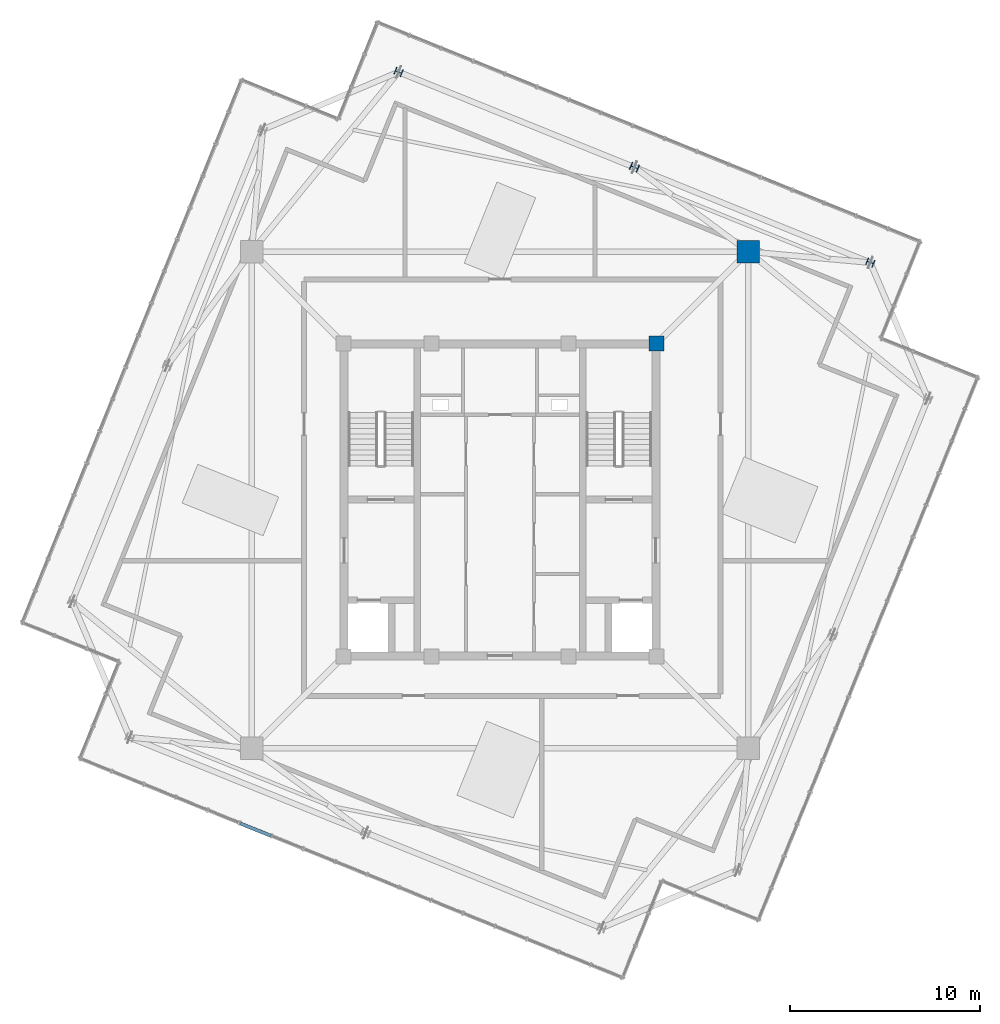
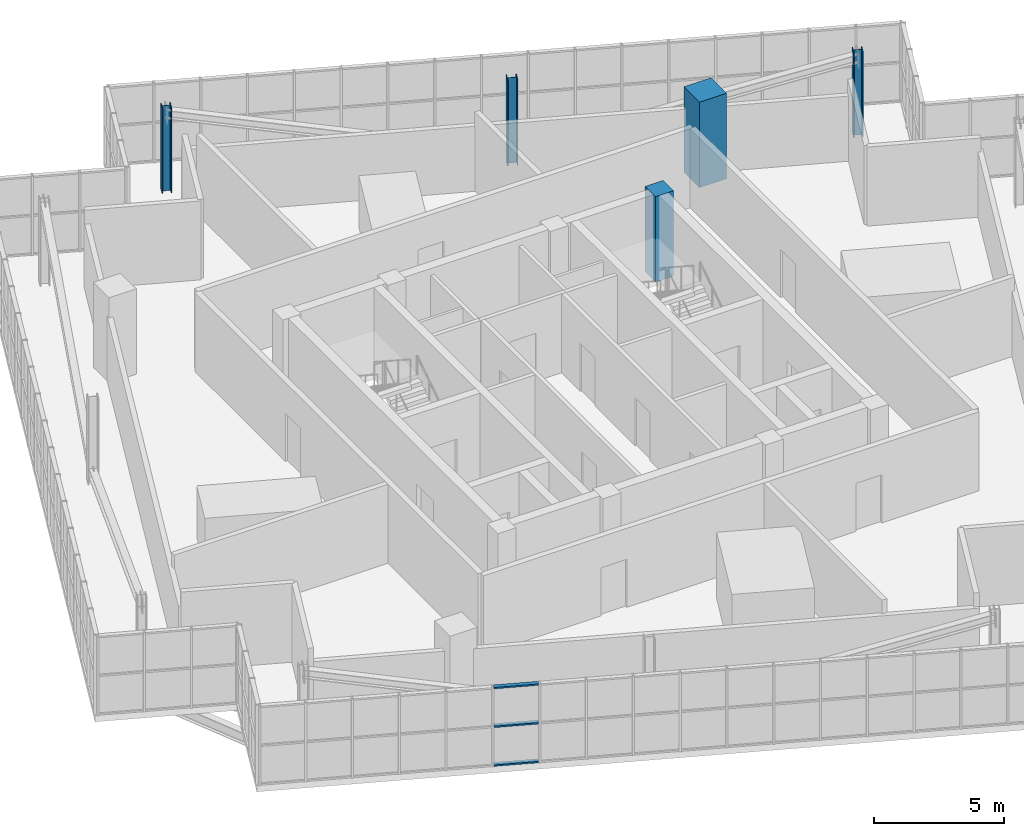
# One storey, part 2 of 26: 5 columns, 3 members, 1 element without a shape of its own.
"""IFC4 building model written with IfcOpenShell, lengths in metres."""

from ifc_helpers import new_model, si_unit, direction, frame, origin, origin_2d, place, context, subcontext, project, spatial, rectangle, hollow_rectangle, i_section, extrude, source, transform, mapped, material, layer, layer_set, material_profile, profile_set, type_object, element, aggregate, save


model = new_model("IFC4")

# Units and contexts
model_context = context("Model", 3, precision=1e-05, world=origin(), true_north=direction((0.0, 1.0)))
body_context = subcontext(model_context, "Body", "Model", "MODEL_VIEW")
ifc_project = project(units=[si_unit("LENGTHUNIT", "METRE"), si_unit("AREAUNIT", "SQUARE_METRE"), si_unit("VOLUMEUNIT", "CUBIC_METRE"), si_unit("PLANEANGLEUNIT", "RADIAN"), si_unit("MASSUNIT", "GRAM", prefix="KILO"), si_unit("THERMODYNAMICTEMPERATUREUNIT", "KELVIN")], contexts=[model_context])

# Site, building, storey
site_placement = place(None, origin())
site = spatial("IfcSite", under=ifc_project, at=site_placement, CompositionType="ELEMENT")
building_placement = place(site_placement, origin())
building = spatial("IfcBuilding", under=site, at=building_placement, Name="Kosmvard Interchange Tower", CompositionType="ELEMENT")
storey_placement = place(building_placement, frame((0.0, 0.0, 333.60009765625)))
storey = spatial("IfcBuildingStorey", under=building, at=storey_placement, Name="L82", CompositionType="ELEMENT", Elevation=333.60009765625)

# Columns
ifc_material_1 = material(Name="Concrete C50/60", Category="concrete")
ifc_material_profile_1 = material_profile(ifc_material_1, rectangle(XDim=0.800048828125, YDim=0.800048828125, at=origin_2d()), Name="CP 800x800")
ifc_profile_set_1 = profile_set([ifc_material_profile_1], Name="Concrete C50/60")
column_type_1 = type_object("IfcColumnType", Name="Core Boundary Pilaster 800x800 C50/60", PredefinedType="PILASTER", material=ifc_profile_set_1)
shared_shape_1 = source(origin(), body_context, "Body", "SweptSolid", [
    extrude(rectangle(XDim=0.800048828125, YDim=0.800048828125, at=origin_2d()), origin(), (0.0, 0.0, 1.0), 4.0),
])
column_1_placement = place(storey_placement, frame((8.25, 8.25, 0.0), z_axis=(0.0, 0.0, 1.0), x_axis=(1.0, 0.0, 0.0)))
element("IfcColumn", 1, at=column_1_placement, inside=storey, type_object=column_type_1, Name="L82 Core Pilaster CP3", PredefinedType="PILASTER", context=body_context, shape_type="MappedRepresentation", body=[
    mapped(shared_shape_1, transform((0.0, 0.0, 0.0), scale=1.0)),
])
ifc_material_profile_2 = material_profile(ifc_material_1, rectangle(XDim=1.199951171875, YDim=1.199951171875, at=origin_2d()), Name="MC 1200x1200")
ifc_profile_set_2 = profile_set([ifc_material_profile_2], Name="Concrete C50/60")
column_type_2 = type_object("IfcColumnType", Name="Composite Mega-Column 1200x1200 C50/60", PredefinedType="COLUMN", material=ifc_profile_set_2)
shared_shape_2 = source(origin(), body_context, "Body", "SweptSolid", [
    extrude(rectangle(XDim=1.199951171875, YDim=1.199951171875, at=origin_2d()), origin(), (0.0, 0.0, 1.0), 4.0),
])
column_2_placement = place(storey_placement, frame((13.0810546875, 13.0810546875, 0.0), z_axis=(0.0, 0.0, 1.0), x_axis=(1.0, 0.0, 0.0)))
element("IfcColumn", 2, at=column_2_placement, inside=storey, type_object=column_type_2, Name="L82 Corner Mega-Column MC3", PredefinedType="COLUMN", context=body_context, shape_type="MappedRepresentation", body=[
    mapped(shared_shape_2, transform((0.0, 0.0, 0.0), scale=1.0)),
])
ifc_material_2 = material(Name="Steel S355", Category="steel")
ifc_material_profile_3 = material_profile(ifc_material_2, i_section(OverallWidth=0.3759765625, OverallDepth=0.386962890625, WebThickness=0.01953125, FlangeThickness=0.031982421875, FilletRadius=0.014892578125, at=origin_2d()), Name="HD 360x329")
ifc_profile_set_3 = profile_set([ifc_material_profile_3], Name="Steel S355")
column_type_3 = type_object("IfcColumnType", Name="Crown Lantern Corner Post HD 360x329 S355", PredefinedType="COLUMN", material=ifc_profile_set_3)
shared_shape_3 = source(origin(), body_context, "Body", "SweptSolid", [
    extrude(i_section(OverallWidth=0.3759765625, OverallDepth=0.386962890625, WebThickness=0.01953125, FlangeThickness=0.031982421875, FilletRadius=0.014892578125, at=origin_2d()), origin(), (0.0, 0.0, 1.0), 4.0),
])
for number, where, z_axis, x_axis, name in (
    (3, (19.50439453125, 12.504150390625, 0.0), (0.0, 0.0, 1.0), (0.374606593416, 0.927183854567, 0.0), "L82 Crown Frame Leg LL-E1"),
    (4, (-5.34423828125, 22.54345703125, 0.0), (0.0, 0.0, 1.0), (0.374606593416, 0.927183854567, 0.0), "L82 Crown Frame Leg LL-E3"),
):
    element("IfcColumn", number, at=place(storey_placement, frame(where, z_axis=z_axis, x_axis=x_axis)), inside=storey, type_object=column_type_3, Name=name, PredefinedType="COLUMN", context=body_context, shape_type="MappedRepresentation", body=[
        mapped(shared_shape_3, transform((0.0, 0.0, 0.0), scale=1.0)),
    ])
ifc_material_profile_4 = material_profile(ifc_material_2, i_section(OverallWidth=0.408935546875, OverallDepth=0.425048828125, WebThickness=0.02392578125, FlangeThickness=0.0390625, FilletRadius=0.014892578125, at=origin_2d()), Name="HD 400x421")
ifc_profile_set_4 = profile_set([ifc_material_profile_4], Name="Steel S355")
column_type_4 = type_object("IfcColumnType", Name="Crown Lantern Frame Leg HD 400x421 S355", PredefinedType="COLUMN", material=ifc_profile_set_4)
shared_shape_4 = source(origin(), body_context, "Body", "SweptSolid", [
    extrude(i_section(OverallWidth=0.408935546875, OverallDepth=0.425048828125, WebThickness=0.02392578125, FlangeThickness=0.0390625, FilletRadius=0.014892578125, at=origin_2d()), origin(), (0.0, 0.0, 1.0), 4.0),
])
column_3_placement = place(storey_placement, frame((7.080078125, 17.523681640625, 0.0), z_axis=(0.0, 0.0, 1.0), x_axis=(0.374606593416, 0.927183854567, 0.0)))
element("IfcColumn", 5, at=column_3_placement, inside=storey, type_object=column_type_4, Name="L82 Crown Frame Leg LL-E2", PredefinedType="COLUMN", context=body_context, shape_type="MappedRepresentation", body=[
    mapped(shared_shape_4, transform((0.0, 0.0, 0.0), scale=1.0)),
])

# Curtain wall, members
ifc_material_3 = material(Name="Architectural anodised aluminium", Category="aluminium")
ifc_layer = layer(ifc_material_3, 0.25, Name="Architectural anodised aluminium")
ifc_layer_set = layer_set([ifc_layer], Name="Architectural anodised aluminium")
curtain_wall_type = type_object("IfcCurtainWallType", Name="CW-6 Illuminated Crown Lantern Curtain Wall", PredefinedType="NOTDEFINED", material=ifc_layer_set)
curtain_wall_placement = place(storey_placement, origin())
curtain_wall = element("IfcCurtainWall", 6, at=curtain_wall_placement, inside=storey, type_object=curtain_wall_type, Name="L82 Crown Lantern Glazing Face 10", PredefinedType="NOTDEFINED")
ifc_material_profile_5 = material_profile(ifc_material_3, hollow_rectangle(XDim=0.179931640625, YDim=0.070068359375, WallThickness=0.0048828125, at=origin_2d()), Name="CWT 180x70x5")
ifc_profile_set_5 = profile_set([ifc_material_profile_5], Name="Architectural anodised aluminium")
member_type = type_object("IfcMemberType", Name="Heavy Lantern CW Transom 180x70 Aluminium", PredefinedType="USERDEFINED", material=ifc_profile_set_5)
shared_shape_5 = source(origin(), body_context, "Body", "SweptSolid", [
    extrude(hollow_rectangle(XDim=0.179931640625, YDim=0.070068359375, WallThickness=0.0048828125, at=origin_2d()), origin(), (0.0, 0.0, 1.0), 1.734130859375),
])
member_1_placement = place(storey_placement, frame((-13.686767578125, -17.033203125, 0.034912109375), z_axis=(0.927179782522, -0.374616671924, 0.0), x_axis=(0.374616671924, 0.927179782522, 0.0)))
member_1 = element("IfcMember", 7, at=member_1_placement, type_object=member_type, Name="CW-6 transom 6.1", ObjectType="TRANSOM", PredefinedType="USERDEFINED", context=body_context, shape_type="MappedRepresentation", body=[
    mapped(shared_shape_5, transform((0.0, 0.0, 0.0), scale=1.0)),
])
member_2_placement = place(storey_placement, frame((-13.686767578125, -17.033203125, 1.849853515625), z_axis=(0.927179782522, -0.374616671924, 0.0), x_axis=(0.374616671924, 0.927179782522, 0.0)))
member_2 = element("IfcMember", 8, at=member_2_placement, type_object=member_type, Name="CW-6 transom 6.2", ObjectType="TRANSOM", PredefinedType="USERDEFINED", context=body_context, shape_type="MappedRepresentation", body=[
    mapped(shared_shape_5, transform((0.0, 0.0, 0.0), scale=1.0)),
])
member_3_placement = place(storey_placement, frame((-13.686767578125, -17.033203125, 3.664794921875), z_axis=(0.927179782522, -0.374616671924, 0.0), x_axis=(0.374616671924, 0.927179782522, 0.0)))
member_3 = element("IfcMember", 9, at=member_3_placement, type_object=member_type, Name="CW-6 transom 6.3", ObjectType="TRANSOM", PredefinedType="USERDEFINED", context=body_context, shape_type="MappedRepresentation", body=[
    mapped(shared_shape_5, transform((0.0, 0.0, 0.0), scale=1.0)),
])
aggregate(curtain_wall, [member_1, member_2, member_3])

save(model, "model.ifc")
